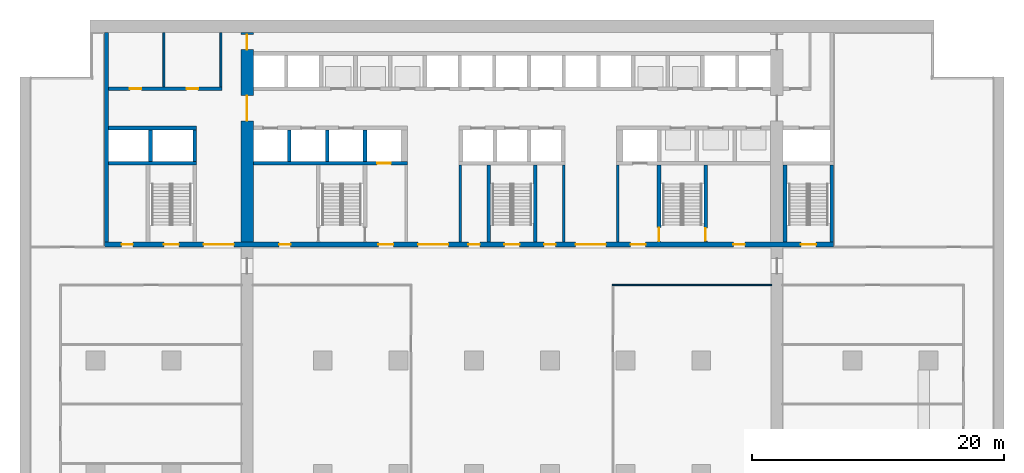
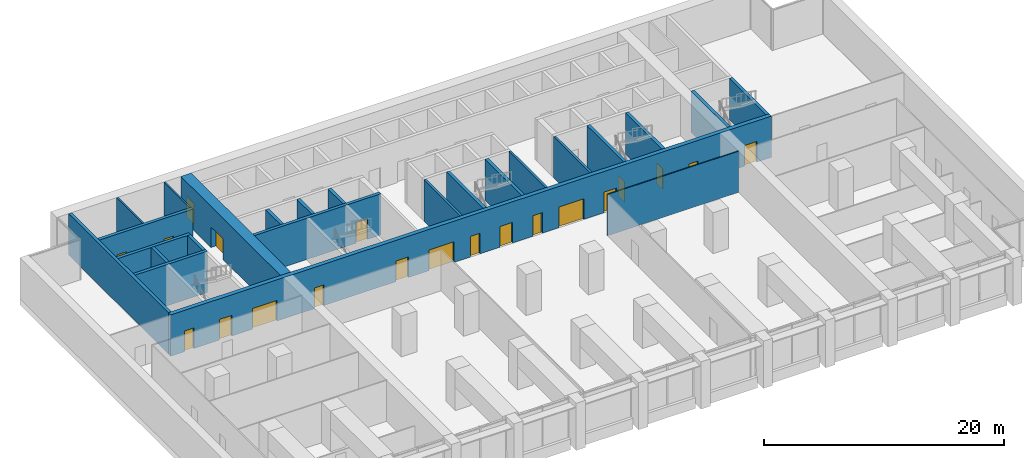
# One storey, part 10 of 18: 24 walls, 20 doors, 20 openings.
"""IFC4 building model written with IfcOpenShell, lengths in metres."""

from ifc_helpers import new_model, si_unit, direction, frame, frame_2d, origin, place, context, subcontext, project, spatial, rectangle, extrude, material, layer, layer_set, type_object, element, fill, save


model = new_model("IFC4")

# Units and contexts
model_context = context("Model", 3, precision=1e-05, world=origin(), true_north=direction((0.0, 1.0)))
body_context = subcontext(model_context, "Body", "Model", "MODEL_VIEW")
ifc_project = project(units=[si_unit("LENGTHUNIT", "METRE"), si_unit("AREAUNIT", "SQUARE_METRE"), si_unit("VOLUMEUNIT", "CUBIC_METRE"), si_unit("PLANEANGLEUNIT", "RADIAN"), si_unit("MASSUNIT", "GRAM", prefix="KILO")], contexts=[model_context])

# Site, building, storey
site_placement = place(None, origin())
site = spatial("IfcSite", under=ifc_project, at=site_placement, CompositionType="ELEMENT")
building_placement = place(site_placement, origin())
building = spatial("IfcBuilding", under=site, at=building_placement, Name="Calvaro Tower", CompositionType="ELEMENT")
storey_placement = place(building_placement, frame((0.0, 0.0, 90.0)))
storey = spatial("IfcBuildingStorey", under=building, at=storey_placement, Name="L22", CompositionType="ELEMENT", Elevation=90.0)

# Walls
ifc_material_1 = material(Name="Blockwork partition", Category="masonry")
ifc_layer_1 = layer(ifc_material_1, 0.14990234375)
ifc_layer_set_1 = layer_set([ifc_layer_1], Name="Blockwork partition")
wall_type_1 = type_object("IfcWallType", Name="Core partition 150 REI 120", PredefinedType="PARTITIONING", material=ifc_layer_set_1)
for number, where, z_axis, x_axis, name in (
    (1, (15.925048828125, 40.699951171875, 0.0), (0.0, 0.0, 1.0), (0.0, 1.0, 0.0), "Core partition"),
    (2, (11.39990234375, 40.699951171875, 0.0), (0.0, 0.0, 1.0), (0.0, 1.0, 0.0), "Core partition"),
):
    element("IfcWall", number, at=place(storey_placement, frame(where, z_axis=z_axis, x_axis=x_axis)), inside=storey, type_object=wall_type_1, Name=name, PredefinedType="PARTITIONING", context=body_context, shape_type="SweptSolid", body=[
        extrude(rectangle(XDim=4.300048828125, YDim=0.14990234375, at=frame_2d((2.14990234375, 0.0))), origin(), (0.0, 0.0, 1.0), 4.199951171875),
    ])
ifc_material_2 = material(Name="Blockwork partition", Category="masonry")
ifc_layer_2 = layer(ifc_material_2, 0.199951171875)
ifc_layer_set_2 = layer_set([ifc_layer_2], Name="Blockwork partition")
wall_type_2 = type_object("IfcWallType", Name="Core partition 200 REI 120", PredefinedType="PARTITIONING", material=ifc_layer_set_2)
for number, where, z_axis, x_axis, name in (
    (3, (34.89990234375, 28.39990234375, 0.0), (0.0, 0.0, 1.0), (0.0, 1.0, 0.0), "Core partition"),
    (4, (43.10009765625, 28.39990234375, 0.0), (0.0, 0.0, 1.0), (0.0, 1.0, 0.0), "Core partition"),
    (5, (47.39990234375, 28.39990234375, 0.0), (0.0, 0.0, 1.0), (0.0, 1.0, 0.0), "Core partition"),
):
    element("IfcWall", number, at=place(storey_placement, frame(where, z_axis=z_axis, x_axis=x_axis)), inside=storey, type_object=wall_type_2, Name=name, PredefinedType="PARTITIONING", context=body_context, shape_type="SweptSolid", body=[
        extrude(rectangle(XDim=6.10009765625, YDim=0.199951171875, at=frame_2d((3.050048828125, 0.0))), origin(), (0.0, 0.0, 1.0), 4.199951171875),
    ])

# Wall, openings, doors
ifc_material_3 = material(Name="Blockwork partition", Category="masonry")
ifc_layer_3 = layer(ifc_material_3, 0.300048828125)
ifc_layer_set_3 = layer_set([ifc_layer_3], Name="Blockwork partition")
wall_type_3 = type_object("IfcWallType", Name="Core partition 300 REI 120", PredefinedType="PARTITIONING", material=ifc_layer_set_3)
wall_1_placement = place(storey_placement, frame((7.0, 40.550048828125, 0.0), z_axis=(0.0, 0.0, 1.0), x_axis=(1.0, 0.0, 0.0)))
wall_1 = element("IfcWall", 6, at=wall_1_placement, inside=storey, type_object=wall_type_3, Name="Core partition", PredefinedType="PARTITIONING", context=body_context, shape_type="SweptSolid", body=[
    extrude(rectangle(XDim=9.0, YDim=0.300048828125, at=frame_2d((4.5, 0.0))), origin(), (0.0, 0.0, 1.0), 4.199951171875),
])
opening_1_placement = place(wall_1_placement, frame((1.71240234375, 0.0, 0.0)))
opening_1 = element("IfcOpeningElement", 7, at=opening_1_placement, cuts=wall_1, Name="Opening RD9E", PredefinedType="OPENING", context=body_context, shape_type="SweptSolid", body=[
    extrude(rectangle(XDim=0.89990234375, YDim=2.10009765625, at=frame_2d((0.449951171875, 1.050048828125))), frame((0.0, 0.159912109375, 0.0), z_axis=(0.0, -1.0, 0.0), x_axis=(1.0, 0.0, 0.0)), (0.0, 0.0, 1.0), 0.320068359375),
])
opening_2_placement = place(wall_1_placement, frame((6.21240234375, 0.0, 0.0)))
opening_2 = element("IfcOpeningElement", 8, at=opening_2_placement, cuts=wall_1, Name="Opening RD9E", PredefinedType="OPENING", context=body_context, shape_type="SweptSolid", body=[
    extrude(rectangle(XDim=0.89990234375, YDim=2.10009765625, at=frame_2d((0.449951171875, 1.050048828125))), frame((0.0, 0.159912109375, 0.0), z_axis=(0.0, -1.0, 0.0), x_axis=(1.0, 0.0, 0.0)), (0.0, 0.0, 1.0), 0.320068359375),
])
ifc_material_4 = material(Name="Steel door set", Category="steel")
door_type_1 = type_object("IfcDoorType", Name="Room door 900 FD60", OperationType="SINGLE_SWING_LEFT", PredefinedType="DOOR", material=ifc_material_4)
door_1_placement = place(opening_1_placement, origin())
door_1 = element("IfcDoor", 9, at=door_1_placement, inside=storey, type_object=door_type_1, Name="Room door", OperationType="SINGLE_SWING_LEFT", OverallHeight=2.10009765625, OverallWidth=0.89990234375, PredefinedType="DOOR", context=body_context, shape_type="SweptSolid", body=[
    extrude(rectangle(XDim=0.89990234375, YDim=2.10009765625, at=frame_2d((0.449951171875, 1.050048828125))), frame((0.0, 0.02490234375, 0.0), z_axis=(0.0, -1.0, 0.0), x_axis=(1.0, 0.0, 0.0)), (0.0, 0.0, 1.0), 0.050048828125),
])
fill(opening_1, door_1)
door_2_placement = place(opening_2_placement, origin())
door_2 = element("IfcDoor", 10, at=door_2_placement, inside=storey, type_object=door_type_1, Name="Room door", OperationType="SINGLE_SWING_LEFT", OverallHeight=2.10009765625, OverallWidth=0.89990234375, PredefinedType="DOOR", context=body_context, shape_type="SweptSolid", body=[
    extrude(rectangle(XDim=0.89990234375, YDim=2.10009765625, at=frame_2d((0.449951171875, 1.050048828125))), frame((0.0, 0.02490234375, 0.0), z_axis=(0.0, -1.0, 0.0), x_axis=(1.0, 0.0, 0.0)), (0.0, 0.0, 1.0), 0.050048828125),
])
fill(opening_2, door_2)

ifc_material_5 = material(Name="Concrete C80/95", Category="concrete")
ifc_layer_4 = layer(ifc_material_5, 1.0)
ifc_layer_set_4 = layer_set([ifc_layer_4], Name="Concrete C80/95")
wall_type_4 = type_object("IfcWallType", Name="Core wall C80/95 1000", PredefinedType="SHEAR", material=ifc_layer_set_4)
wall_2_placement = place(storey_placement, frame((18.0, 28.39990234375, 0.0), z_axis=(0.0, 0.0, 1.0), x_axis=(0.0, 1.0, 0.0)))
wall_2 = element("IfcWall", 11, at=wall_2_placement, inside=storey, type_object=wall_type_4, Name="Core wall, cross shear wall", PredefinedType="SHEAR", context=body_context, shape_type="SweptSolid", body=[
    extrude(rectangle(XDim=16.60009765625, YDim=1.0, at=frame_2d((8.300048828125, 0.0))), origin(), (0.0, 0.0, 1.0), 4.199951171875),
])
opening_3_placement = place(wall_2_placement, frame((9.60009765625, 0.0, 0.0)))
opening_3 = element("IfcOpeningElement", 12, at=opening_3_placement, cuts=wall_2, Name="Opening DD20D", PredefinedType="OPENING", context=body_context, shape_type="SweptSolid", body=[
    extrude(rectangle(XDim=2.0, YDim=2.10009765625, at=frame_2d((1.0, 1.050048828125))), frame((0.0, 0.510009765625, 0.0), z_axis=(0.0, -1.0, 0.0), x_axis=(1.0, 0.0, 0.0)), (0.0, 0.0, 1.0), 1.02001953125),
])
opening_4_placement = place(wall_2_placement, frame((15.25, 0.0, 0.0)))
opening_4 = element("IfcOpeningElement", 13, at=opening_4_placement, cuts=wall_2, Name="Opening FD12C", PredefinedType="OPENING", context=body_context, shape_type="SweptSolid", body=[
    extrude(rectangle(XDim=1.199951171875, YDim=2.10009765625, at=frame_2d((0.60009765625, 1.050048828125))), frame((0.0, 0.510009765625, 0.0), z_axis=(0.0, -1.0, 0.0), x_axis=(1.0, 0.0, 0.0)), (0.0, 0.0, 1.0), 1.02001953125),
])
ifc_material_6 = material(Name="Steel door set", Category="steel")
door_type_2 = type_object("IfcDoorType", Name="Fire door 1200 FD30", OperationType="SINGLE_SWING_LEFT", PredefinedType="DOOR", material=ifc_material_6)
door_3_placement = place(opening_4_placement, origin())
door_3 = element("IfcDoor", 14, at=door_3_placement, inside=storey, type_object=door_type_2, Name="Fire door", OperationType="SINGLE_SWING_LEFT", OverallHeight=2.10009765625, OverallWidth=1.199951171875, PredefinedType="DOOR", context=body_context, shape_type="SweptSolid", body=[
    extrude(rectangle(XDim=1.199951171875, YDim=2.10009765625, at=frame_2d((0.60009765625, 1.050048828125))), frame((0.0, 0.02490234375, 0.0), z_axis=(0.0, -1.0, 0.0), x_axis=(1.0, 0.0, 0.0)), (0.0, 0.0, 1.0), 0.050048828125),
])
fill(opening_4, door_3)
ifc_material_7 = material(Name="Steel door set", Category="steel")
door_type_3 = type_object("IfcDoorType", Name="Lobby double door 2000 FD30S", OperationType="DOUBLE_DOOR_SINGLE_SWING", PredefinedType="DOOR", material=ifc_material_7)
door_4_placement = place(opening_3_placement, origin())
door_4 = element("IfcDoor", 15, at=door_4_placement, inside=storey, type_object=door_type_3, Name="Lobby double door", OperationType="DOUBLE_DOOR_SINGLE_SWING", OverallHeight=2.10009765625, OverallWidth=2.0, PredefinedType="DOOR", context=body_context, shape_type="SweptSolid", body=[
    extrude(rectangle(XDim=2.0, YDim=2.10009765625, at=frame_2d((1.0, 1.050048828125))), frame((0.0, 0.02490234375, 0.0), z_axis=(0.0, -1.0, 0.0), x_axis=(1.0, 0.0, 0.0)), (0.0, 0.0, 1.0), 0.050048828125),
])
fill(opening_3, door_4)

# Walls
ifc_material_8 = material(Name="Concrete C80/95", Category="concrete")
ifc_layer_5 = layer(ifc_material_8, 0.300048828125)
ifc_layer_set_5 = layer_set([ifc_layer_5], Name="Concrete C80/95")
wall_type_5 = type_object("IfcWallType", Name="Core wall C80/95 300", PredefinedType="SHEAR", material=ifc_layer_set_5)
wall_3_placement = place(storey_placement, frame((6.85009765625, 28.39990234375, 0.0), z_axis=(0.0, 0.0, 1.0), x_axis=(0.0, 1.0, 0.0)))
element("IfcWall", 16, at=wall_3_placement, inside=storey, type_object=wall_type_5, Name="Core wall, boundary", PredefinedType="SHEAR", context=body_context, shape_type="SweptSolid", body=[
    extrude(rectangle(XDim=16.60009765625, YDim=0.300048828125, at=frame_2d((8.300048828125, 0.0))), origin(), (0.0, 0.0, 1.0), 4.199951171875),
])
for number, where, z_axis, x_axis, name in (
    (17, (37.14990234375, 28.39990234375, 0.0), (0.0, 0.0, 1.0), (0.0, 1.0, 0.0), "Core wall, stair enclosure"),
    (18, (40.85009765625, 28.39990234375, 0.0), (0.0, 0.0, 1.0), (0.0, 1.0, 0.0), "Core wall, stair enclosure"),
):
    element("IfcWall", number, at=place(storey_placement, frame(where, z_axis=z_axis, x_axis=x_axis)), inside=storey, type_object=wall_type_5, Name=name, PredefinedType="SHEAR", context=body_context, shape_type="SweptSolid", body=[
        extrude(rectangle(XDim=6.10009765625, YDim=0.300048828125, at=frame_2d((3.050048828125, 0.0))), origin(), (0.0, 0.0, 1.0), 4.199951171875),
    ])

# Wall, opening, door
wall_4_placement = place(storey_placement, frame((50.64990234375, 34.5, 0.0), z_axis=(0.0, 0.0, 1.0), x_axis=(0.0, -1.0, 0.0)))
wall_4 = element("IfcWall", 19, at=wall_4_placement, inside=storey, type_object=wall_type_5, Name="Core wall, stair enclosure", PredefinedType="SHEAR", context=body_context, shape_type="SweptSolid", body=[
    extrude(rectangle(XDim=6.10009765625, YDim=0.300048828125, at=frame_2d((3.050048828125, 0.0))), origin(), (0.0, 0.0, 1.0), 4.199951171875),
])
opening_5_placement = place(wall_4_placement, frame((4.949951171875, 0.0, 0.0)))
opening_5 = element("IfcOpeningElement", 20, at=opening_5_placement, cuts=wall_4, Name="Opening FD11D", PredefinedType="OPENING", context=body_context, shape_type="SweptSolid", body=[
    extrude(rectangle(XDim=1.10009765625, YDim=2.10009765625, at=frame_2d((0.550048828125, 1.050048828125))), frame((0.0, 0.159912109375, 0.0), z_axis=(0.0, -1.0, 0.0), x_axis=(1.0, 0.0, 0.0)), (0.0, 0.0, 1.0), 0.320068359375),
])
ifc_material_9 = material(Name="Steel door set", Category="steel")
door_type_4 = type_object("IfcDoorType", Name="Fire door 1100 FD30S", OperationType="SINGLE_SWING_LEFT", PredefinedType="DOOR", material=ifc_material_9)
door_5_placement = place(opening_5_placement, origin())
door_5 = element("IfcDoor", 21, at=door_5_placement, inside=storey, type_object=door_type_4, Name="Fire door", OperationType="SINGLE_SWING_RIGHT", OverallHeight=2.10009765625, OverallWidth=1.10009765625, PredefinedType="DOOR", context=body_context, shape_type="SweptSolid", body=[
    extrude(rectangle(XDim=1.10009765625, YDim=2.10009765625, at=frame_2d((0.550048828125, 1.050048828125))), frame((0.0, 0.02490234375, 0.0), z_axis=(0.0, -1.0, 0.0), x_axis=(1.0, 0.0, 0.0)), (0.0, 0.0, 1.0), 0.050048828125),
])
fill(opening_5, door_5)

wall_5_placement = place(storey_placement, frame((54.35009765625, 28.39990234375, 0.0), z_axis=(0.0, 0.0, 1.0), x_axis=(0.0, 1.0, 0.0)))
wall_5 = element("IfcWall", 22, at=wall_5_placement, inside=storey, type_object=wall_type_5, Name="Core wall, stair enclosure", PredefinedType="SHEAR", context=body_context, shape_type="SweptSolid", body=[
    extrude(rectangle(XDim=6.10009765625, YDim=0.300048828125, at=frame_2d((3.050048828125, 0.0))), origin(), (0.0, 0.0, 1.0), 4.199951171875),
])
opening_6_placement = place(wall_5_placement, frame((0.10009765625, 0.0, 0.0)))
opening_6 = element("IfcOpeningElement", 23, at=opening_6_placement, cuts=wall_5, Name="Opening FD10D", PredefinedType="OPENING", context=body_context, shape_type="SweptSolid", body=[
    extrude(rectangle(XDim=1.0, YDim=2.10009765625, at=frame_2d((0.5, 1.050048828125))), frame((0.0, 0.159912109375, 0.0), z_axis=(0.0, -1.0, 0.0), x_axis=(1.0, 0.0, 0.0)), (0.0, 0.0, 1.0), 0.320068359375),
])
ifc_material_10 = material(Name="Steel door set", Category="steel")
door_type_5 = type_object("IfcDoorType", Name="Fire door 1000 FD30S", OperationType="SINGLE_SWING_LEFT", PredefinedType="DOOR", material=ifc_material_10)
door_6_placement = place(opening_6_placement, origin())
door_6 = element("IfcDoor", 24, at=door_6_placement, inside=storey, type_object=door_type_5, Name="Fire door", OperationType="SINGLE_SWING_LEFT", OverallHeight=2.10009765625, OverallWidth=1.0, PredefinedType="DOOR", context=body_context, shape_type="SweptSolid", body=[
    extrude(rectangle(XDim=1.0, YDim=2.10009765625, at=frame_2d((0.5, 1.050048828125))), frame((0.0, 0.02490234375, 0.0), z_axis=(0.0, -1.0, 0.0), x_axis=(1.0, 0.0, 0.0)), (0.0, 0.0, 1.0), 0.050048828125),
])
fill(opening_6, door_6)

# Walls
for number, where, z_axis, x_axis, name in (
    (25, (60.64990234375, 28.39990234375, 0.0), (0.0, 0.0, 1.0), (0.0, 1.0, 0.0), "Core wall, stair enclosure"),
    (26, (64.35009765625, 28.39990234375, 0.0), (0.0, 0.0, 1.0), (0.0, 1.0, 0.0), "Core wall, stair enclosure"),
):
    element("IfcWall", number, at=place(storey_placement, frame(where, z_axis=z_axis, x_axis=x_axis)), inside=storey, type_object=wall_type_5, Name=name, PredefinedType="SHEAR", context=body_context, shape_type="SweptSolid", body=[
        extrude(rectangle(XDim=6.10009765625, YDim=0.300048828125, at=frame_2d((3.050048828125, 0.0))), origin(), (0.0, 0.0, 1.0), 4.199951171875),
    ])
wall_6_placement = place(storey_placement, frame((7.0, 34.64990234375, 0.0), z_axis=(0.0, 0.0, 1.0), x_axis=(1.0, 0.0, 0.0)))
element("IfcWall", 27, at=wall_6_placement, inside=storey, type_object=wall_type_5, Name="Core wall, lift shaft", PredefinedType="SHEAR", context=body_context, shape_type="SweptSolid", body=[
    extrude(rectangle(XDim=7.0, YDim=0.300048828125, at=frame_2d((3.5, 0.0))), origin(), (0.0, 0.0, 1.0), 4.199951171875),
])

# Wall, opening, door
wall_7_placement = place(storey_placement, frame((18.5, 34.64990234375, 0.0), z_axis=(0.0, 0.0, 1.0), x_axis=(1.0, 0.0, 0.0)))
wall_7 = element("IfcWall", 28, at=wall_7_placement, inside=storey, type_object=wall_type_5, Name="Core wall, lift shaft", PredefinedType="SHEAR", context=body_context, shape_type="SweptSolid", body=[
    extrude(rectangle(XDim=12.199951171875, YDim=0.300048828125, at=frame_2d((6.10009765625, 0.0))), origin(), (0.0, 0.0, 1.0), 4.199951171875),
])
opening_7_placement = place(wall_7_placement, frame((9.800048828125, 0.0, 0.0)))
opening_7 = element("IfcOpeningElement", 29, at=opening_7_placement, cuts=wall_7, Name="Opening FF1", PredefinedType="OPENING", context=body_context, shape_type="SweptSolid", body=[
    extrude(rectangle(XDim=1.10009765625, YDim=2.10009765625, at=frame_2d((0.550048828125, 1.050048828125))), frame((0.0, 0.159912109375, 0.0), z_axis=(0.0, -1.0, 0.0), x_axis=(1.0, 0.0, 0.0)), (0.0, 0.0, 1.0), 0.320068359375),
])
ifc_material_11 = material(Name="Stainless steel", Category="steel")
door_type_6 = type_object("IfcDoorType", Name="Landing door 1100 E 60", OperationType="SLIDING_TO_LEFT", PredefinedType="DOOR", material=ifc_material_11)
door_7_placement = place(opening_7_placement, origin())
door_7 = element("IfcDoor", 30, at=door_7_placement, inside=storey, type_object=door_type_6, Name="Landing door FF1", OperationType="SLIDING_TO_LEFT", OverallHeight=2.10009765625, OverallWidth=1.10009765625, PredefinedType="DOOR", context=body_context, shape_type="SweptSolid", body=[
    extrude(rectangle(XDim=1.10009765625, YDim=2.10009765625, at=frame_2d((0.550048828125, 1.050048828125))), frame((0.0, 0.02490234375, 0.0), z_axis=(0.0, -1.0, 0.0), x_axis=(1.0, 0.0, 0.0)), (0.0, 0.0, 1.0), 0.050048828125),
])
fill(opening_7, door_7)

# Walls
wall_8_placement = place(storey_placement, frame((7.0, 37.449951171875, 0.0), z_axis=(0.0, 0.0, 1.0), x_axis=(1.0, 0.0, 0.0)))
element("IfcWall", 31, at=wall_8_placement, inside=storey, type_object=wall_type_5, Name="Core wall, lift shaft", PredefinedType="SHEAR", context=body_context, shape_type="SweptSolid", body=[
    extrude(rectangle(XDim=7.0, YDim=0.300048828125, at=frame_2d((3.5, 0.0))), origin(), (0.0, 0.0, 1.0), 4.199951171875),
])
for number, where, z_axis, x_axis, name in (
    (32, (27.35009765625, 34.800048828125, 0.0), (0.0, 0.0, 1.0), (0.0, 1.0, 0.0), "Core wall, lift shaft"),
    (33, (13.85009765625, 34.800048828125, 0.0), (0.0, 0.0, 1.0), (0.0, 1.0, 0.0), "Core wall, lift shaft"),
    (34, (21.35009765625, 34.800048828125, 0.0), (0.0, 0.0, 1.0), (0.0, 1.0, 0.0), "Core wall, lift shaft"),
    (35, (24.35009765625, 34.800048828125, 0.0), (0.0, 0.0, 1.0), (0.0, 1.0, 0.0), "Core wall, lift shaft"),
    (36, (10.35009765625, 34.800048828125, 0.0), (0.0, 0.0, 1.0), (0.0, 1.0, 0.0), "Core wall, lift shaft"),
):
    element("IfcWall", number, at=place(storey_placement, frame(where, z_axis=z_axis, x_axis=x_axis)), inside=storey, type_object=wall_type_5, Name=name, PredefinedType="SHEAR", context=body_context, shape_type="SweptSolid", body=[
        extrude(rectangle(XDim=2.5, YDim=0.300048828125, at=frame_2d((1.25, 0.0))), origin(), (0.0, 0.0, 1.0), 4.199951171875),
    ])

# Wall, openings, doors
ifc_material_12 = material(Name="Concrete C80/95", Category="concrete")
ifc_layer_6 = layer(ifc_material_12, 0.39990234375)
ifc_layer_set_6 = layer_set([ifc_layer_6], Name="Concrete C80/95")
wall_type_6 = type_object("IfcWallType", Name="Core wall C80/95 400", PredefinedType="SHEAR", material=ifc_layer_set_6)
wall_9_placement = place(storey_placement, frame((6.699951171875, 28.199951171875, 0.0), z_axis=(0.0, 0.0, 1.0), x_axis=(1.0, 0.0, 0.0)))
wall_9 = element("IfcWall", 37, at=wall_9_placement, inside=storey, type_object=wall_type_6, Name="Core wall, front", PredefinedType="SHEAR", context=body_context, shape_type="SweptSolid", body=[
    extrude(rectangle(XDim=57.800048828125, YDim=0.39990234375, at=frame_2d((28.89990234375, 0.0))), origin(), (0.0, 0.0, 1.0), 4.199951171875),
])
opening_8_placement = place(wall_9_placement, frame((13.85009765625, 0.0, 0.0)))
opening_8 = element("IfcOpeningElement", 38, at=opening_8_placement, cuts=wall_9, Name="Opening RD9D", PredefinedType="OPENING", context=body_context, shape_type="SweptSolid", body=[
    extrude(rectangle(XDim=0.89990234375, YDim=2.10009765625, at=frame_2d((0.449951171875, 1.050048828125))), frame((0.0, 0.2099609375, 0.0), z_axis=(0.0, -1.0, 0.0), x_axis=(1.0, 0.0, 0.0)), (0.0, 0.0, 1.0), 0.419921875),
])
opening_9_placement = place(wall_9_placement, frame((49.85009765625, 0.0, 0.0)))
opening_9 = element("IfcOpeningElement", 39, at=opening_9_placement, cuts=wall_9, Name="Opening RD9D", PredefinedType="OPENING", context=body_context, shape_type="SweptSolid", body=[
    extrude(rectangle(XDim=0.89990234375, YDim=2.10009765625, at=frame_2d((0.449951171875, 1.050048828125))), frame((0.0, 0.2099609375, 0.0), z_axis=(0.0, -1.0, 0.0), x_axis=(1.0, 0.0, 0.0)), (0.0, 0.0, 1.0), 0.419921875),
])
opening_10_placement = place(wall_9_placement, frame((1.35009765625, 0.0, 0.0)))
opening_10 = element("IfcOpeningElement", 40, at=opening_10_placement, cuts=wall_9, Name="Opening RD9E", PredefinedType="OPENING", context=body_context, shape_type="SweptSolid", body=[
    extrude(rectangle(XDim=0.89990234375, YDim=2.10009765625, at=frame_2d((0.449951171875, 1.050048828125))), frame((0.0, 0.2099609375, 0.0), z_axis=(0.0, -1.0, 0.0), x_axis=(1.0, 0.0, 0.0)), (0.0, 0.0, 1.0), 0.419921875),
])
opening_11_placement = place(wall_9_placement, frame((4.699951171875, 0.0, 0.0)))
opening_11 = element("IfcOpeningElement", 41, at=opening_11_placement, cuts=wall_9, Name="Opening SD12D", PredefinedType="OPENING", context=body_context, shape_type="SweptSolid", body=[
    extrude(rectangle(XDim=1.199951171875, YDim=2.10009765625, at=frame_2d((0.60009765625, 1.050048828125))), frame((0.0, 0.2099609375, 0.0), z_axis=(0.0, -1.0, 0.0), x_axis=(1.0, 0.0, 0.0)), (0.0, 0.0, 1.0), 0.419921875),
])
opening_12_placement = place(wall_9_placement, frame((31.699951171875, 0.0, 0.0)))
opening_12 = element("IfcOpeningElement", 42, at=opening_12_placement, cuts=wall_9, Name="Opening SD12D", PredefinedType="OPENING", context=body_context, shape_type="SweptSolid", body=[
    extrude(rectangle(XDim=1.199951171875, YDim=2.10009765625, at=frame_2d((0.60009765625, 1.050048828125))), frame((0.0, 0.2099609375, 0.0), z_axis=(0.0, -1.0, 0.0), x_axis=(1.0, 0.0, 0.0)), (0.0, 0.0, 1.0), 0.419921875),
])
opening_13_placement = place(wall_9_placement, frame((55.199951171875, 0.0, 0.0)))
opening_13 = element("IfcOpeningElement", 43, at=opening_13_placement, cuts=wall_9, Name="Opening SD12D", PredefinedType="OPENING", context=body_context, shape_type="SweptSolid", body=[
    extrude(rectangle(XDim=1.199951171875, YDim=2.10009765625, at=frame_2d((0.60009765625, 1.050048828125))), frame((0.0, 0.2099609375, 0.0), z_axis=(0.0, -1.0, 0.0), x_axis=(1.0, 0.0, 0.0)), (0.0, 0.0, 1.0), 0.419921875),
])
opening_14_placement = place(wall_9_placement, frame((21.699951171875, 0.0, 0.0)))
opening_14 = element("IfcOpeningElement", 44, at=opening_14_placement, cuts=wall_9, Name="Opening FD12F", PredefinedType="OPENING", context=body_context, shape_type="SweptSolid", body=[
    extrude(rectangle(XDim=1.199951171875, YDim=2.10009765625, at=frame_2d((0.60009765625, 1.050048828125))), frame((0.0, 0.2099609375, 0.0), z_axis=(0.0, -1.0, 0.0), x_axis=(1.0, 0.0, 0.0)), (0.0, 0.0, 1.0), 0.419921875),
])
opening_15_placement = place(wall_9_placement, frame((41.699951171875, 0.0, 0.0)))
opening_15 = element("IfcOpeningElement", 45, at=opening_15_placement, cuts=wall_9, Name="Opening FD12F", PredefinedType="OPENING", context=body_context, shape_type="SweptSolid", body=[
    extrude(rectangle(XDim=1.199951171875, YDim=2.10009765625, at=frame_2d((0.60009765625, 1.050048828125))), frame((0.0, 0.2099609375, 0.0), z_axis=(0.0, -1.0, 0.0), x_axis=(1.0, 0.0, 0.0)), (0.0, 0.0, 1.0), 0.419921875),
])
opening_16_placement = place(wall_9_placement, frame((24.85009765625, 0.0, 0.0)))
opening_16 = element("IfcOpeningElement", 46, at=opening_16_placement, cuts=wall_9, Name="Opening DD24D", PredefinedType="OPENING", context=body_context, shape_type="SweptSolid", body=[
    extrude(rectangle(XDim=2.39990234375, YDim=2.10009765625, at=frame_2d((1.199951171875, 1.050048828125))), frame((0.0, 0.2099609375, 0.0), z_axis=(0.0, -1.0, 0.0), x_axis=(1.0, 0.0, 0.0)), (0.0, 0.0, 1.0), 0.419921875),
])
opening_17_placement = place(wall_9_placement, frame((37.35009765625, 0.0, 0.0)))
opening_17 = element("IfcOpeningElement", 47, at=opening_17_placement, cuts=wall_9, Name="Opening DD24D", PredefinedType="OPENING", context=body_context, shape_type="SweptSolid", body=[
    extrude(rectangle(XDim=2.39990234375, YDim=2.10009765625, at=frame_2d((1.199951171875, 1.050048828125))), frame((0.0, 0.2099609375, 0.0), z_axis=(0.0, -1.0, 0.0), x_axis=(1.0, 0.0, 0.0)), (0.0, 0.0, 1.0), 0.419921875),
])
opening_18_placement = place(wall_9_placement, frame((7.85009765625, 0.0, 0.0)))
opening_18 = element("IfcOpeningElement", 48, at=opening_18_placement, cuts=wall_9, Name="Opening DD24D", PredefinedType="OPENING", context=body_context, shape_type="SweptSolid", body=[
    extrude(rectangle(XDim=2.39990234375, YDim=2.10009765625, at=frame_2d((1.199951171875, 1.050048828125))), frame((0.0, 0.2099609375, 0.0), z_axis=(0.0, -1.0, 0.0), x_axis=(1.0, 0.0, 0.0)), (0.0, 0.0, 1.0), 0.419921875),
])
opening_19_placement = place(wall_9_placement, frame((28.85009765625, 0.0, 0.0)))
opening_19 = element("IfcOpeningElement", 49, at=opening_19_placement, cuts=wall_9, Name="Opening RD9E", PredefinedType="OPENING", context=body_context, shape_type="SweptSolid", body=[
    extrude(rectangle(XDim=0.89990234375, YDim=2.10009765625, at=frame_2d((0.449951171875, 1.050048828125))), frame((0.0, 0.2099609375, 0.0), z_axis=(0.0, -1.0, 0.0), x_axis=(1.0, 0.0, 0.0)), (0.0, 0.0, 1.0), 0.419921875),
])
opening_20_placement = place(wall_9_placement, frame((34.85009765625, 0.0, 0.0)))
opening_20 = element("IfcOpeningElement", 50, at=opening_20_placement, cuts=wall_9, Name="Opening RD9E", PredefinedType="OPENING", context=body_context, shape_type="SweptSolid", body=[
    extrude(rectangle(XDim=0.89990234375, YDim=2.10009765625, at=frame_2d((0.449951171875, 1.050048828125))), frame((0.0, 0.2099609375, 0.0), z_axis=(0.0, -1.0, 0.0), x_axis=(1.0, 0.0, 0.0)), (0.0, 0.0, 1.0), 0.419921875),
])
ifc_material_13 = material(Name="Steel door set", Category="steel")
door_type_7 = type_object("IfcDoorType", Name="Fire door 1200 FD60S", OperationType="SINGLE_SWING_LEFT", PredefinedType="DOOR", material=ifc_material_13)
door_8_placement = place(opening_14_placement, origin())
door_8 = element("IfcDoor", 51, at=door_8_placement, inside=storey, type_object=door_type_7, Name="Fire door", OperationType="SINGLE_SWING_LEFT", OverallHeight=2.10009765625, OverallWidth=1.199951171875, PredefinedType="DOOR", context=body_context, shape_type="SweptSolid", body=[
    extrude(rectangle(XDim=1.199951171875, YDim=2.10009765625, at=frame_2d((0.60009765625, 1.050048828125))), frame((0.0, 0.02490234375, 0.0), z_axis=(0.0, -1.0, 0.0), x_axis=(1.0, 0.0, 0.0)), (0.0, 0.0, 1.0), 0.050048828125),
])
fill(opening_14, door_8)
door_9_placement = place(opening_15_placement, origin())
door_9 = element("IfcDoor", 52, at=door_9_placement, inside=storey, type_object=door_type_7, Name="Fire door", OperationType="SINGLE_SWING_LEFT", OverallHeight=2.10009765625, OverallWidth=1.199951171875, PredefinedType="DOOR", context=body_context, shape_type="SweptSolid", body=[
    extrude(rectangle(XDim=1.199951171875, YDim=2.10009765625, at=frame_2d((0.60009765625, 1.050048828125))), frame((0.0, 0.02490234375, 0.0), z_axis=(0.0, -1.0, 0.0), x_axis=(1.0, 0.0, 0.0)), (0.0, 0.0, 1.0), 0.050048828125),
])
fill(opening_15, door_9)
ifc_material_14 = material(Name="Steel door set", Category="steel")
door_type_8 = type_object("IfcDoorType", Name="Lobby double door 2400 FD30S", OperationType="DOUBLE_DOOR_SINGLE_SWING", PredefinedType="DOOR", material=ifc_material_14)
door_10_placement = place(opening_16_placement, origin())
door_10 = element("IfcDoor", 53, at=door_10_placement, inside=storey, type_object=door_type_8, Name="Lobby double door", OperationType="DOUBLE_DOOR_SINGLE_SWING", OverallHeight=2.10009765625, OverallWidth=2.39990234375, PredefinedType="DOOR", context=body_context, shape_type="SweptSolid", body=[
    extrude(rectangle(XDim=2.39990234375, YDim=2.10009765625, at=frame_2d((1.199951171875, 1.050048828125))), frame((0.0, 0.02490234375, 0.0), z_axis=(0.0, -1.0, 0.0), x_axis=(1.0, 0.0, 0.0)), (0.0, 0.0, 1.0), 0.050048828125),
])
fill(opening_16, door_10)
door_11_placement = place(opening_17_placement, origin())
door_11 = element("IfcDoor", 54, at=door_11_placement, inside=storey, type_object=door_type_8, Name="Lobby double door", OperationType="DOUBLE_DOOR_SINGLE_SWING", OverallHeight=2.10009765625, OverallWidth=2.39990234375, PredefinedType="DOOR", context=body_context, shape_type="SweptSolid", body=[
    extrude(rectangle(XDim=2.39990234375, YDim=2.10009765625, at=frame_2d((1.199951171875, 1.050048828125))), frame((0.0, 0.02490234375, 0.0), z_axis=(0.0, -1.0, 0.0), x_axis=(1.0, 0.0, 0.0)), (0.0, 0.0, 1.0), 0.050048828125),
])
fill(opening_17, door_11)
door_12_placement = place(opening_18_placement, origin())
door_12 = element("IfcDoor", 55, at=door_12_placement, inside=storey, type_object=door_type_8, Name="Lobby double door", OperationType="DOUBLE_DOOR_SINGLE_SWING", OverallHeight=2.10009765625, OverallWidth=2.39990234375, PredefinedType="DOOR", context=body_context, shape_type="SweptSolid", body=[
    extrude(rectangle(XDim=2.39990234375, YDim=2.10009765625, at=frame_2d((1.199951171875, 1.050048828125))), frame((0.0, 0.02490234375, 0.0), z_axis=(0.0, -1.0, 0.0), x_axis=(1.0, 0.0, 0.0)), (0.0, 0.0, 1.0), 0.050048828125),
])
fill(opening_18, door_12)
ifc_material_15 = material(Name="Steel door set", Category="steel")
door_type_9 = type_object("IfcDoorType", Name="Room door 900 FD30S", OperationType="SINGLE_SWING_LEFT", PredefinedType="DOOR", material=ifc_material_15)
door_13_placement = place(opening_8_placement, origin())
door_13 = element("IfcDoor", 56, at=door_13_placement, inside=storey, type_object=door_type_9, Name="Room door", OperationType="SINGLE_SWING_LEFT", OverallHeight=2.10009765625, OverallWidth=0.89990234375, PredefinedType="DOOR", context=body_context, shape_type="SweptSolid", body=[
    extrude(rectangle(XDim=0.89990234375, YDim=2.10009765625, at=frame_2d((0.449951171875, 1.050048828125))), frame((0.0, 0.02490234375, 0.0), z_axis=(0.0, -1.0, 0.0), x_axis=(1.0, 0.0, 0.0)), (0.0, 0.0, 1.0), 0.050048828125),
])
fill(opening_8, door_13)
door_14_placement = place(opening_9_placement, origin())
door_14 = element("IfcDoor", 57, at=door_14_placement, inside=storey, type_object=door_type_9, Name="Room door", OperationType="SINGLE_SWING_LEFT", OverallHeight=2.10009765625, OverallWidth=0.89990234375, PredefinedType="DOOR", context=body_context, shape_type="SweptSolid", body=[
    extrude(rectangle(XDim=0.89990234375, YDim=2.10009765625, at=frame_2d((0.449951171875, 1.050048828125))), frame((0.0, 0.02490234375, 0.0), z_axis=(0.0, -1.0, 0.0), x_axis=(1.0, 0.0, 0.0)), (0.0, 0.0, 1.0), 0.050048828125),
])
fill(opening_9, door_14)
door_15_placement = place(opening_10_placement, origin())
door_15 = element("IfcDoor", 58, at=door_15_placement, inside=storey, type_object=door_type_1, Name="Room door", OperationType="SINGLE_SWING_LEFT", OverallHeight=2.10009765625, OverallWidth=0.89990234375, PredefinedType="DOOR", context=body_context, shape_type="SweptSolid", body=[
    extrude(rectangle(XDim=0.89990234375, YDim=2.10009765625, at=frame_2d((0.449951171875, 1.050048828125))), frame((0.0, 0.02490234375, 0.0), z_axis=(0.0, -1.0, 0.0), x_axis=(1.0, 0.0, 0.0)), (0.0, 0.0, 1.0), 0.050048828125),
])
fill(opening_10, door_15)
door_16_placement = place(opening_19_placement, origin())
door_16 = element("IfcDoor", 59, at=door_16_placement, inside=storey, type_object=door_type_1, Name="Room door", OperationType="SINGLE_SWING_LEFT", OverallHeight=2.10009765625, OverallWidth=0.89990234375, PredefinedType="DOOR", context=body_context, shape_type="SweptSolid", body=[
    extrude(rectangle(XDim=0.89990234375, YDim=2.10009765625, at=frame_2d((0.449951171875, 1.050048828125))), frame((0.0, 0.02490234375, 0.0), z_axis=(0.0, -1.0, 0.0), x_axis=(1.0, 0.0, 0.0)), (0.0, 0.0, 1.0), 0.050048828125),
])
fill(opening_19, door_16)
door_17_placement = place(opening_20_placement, origin())
door_17 = element("IfcDoor", 60, at=door_17_placement, inside=storey, type_object=door_type_1, Name="Room door", OperationType="SINGLE_SWING_LEFT", OverallHeight=2.10009765625, OverallWidth=0.89990234375, PredefinedType="DOOR", context=body_context, shape_type="SweptSolid", body=[
    extrude(rectangle(XDim=0.89990234375, YDim=2.10009765625, at=frame_2d((0.449951171875, 1.050048828125))), frame((0.0, 0.02490234375, 0.0), z_axis=(0.0, -1.0, 0.0), x_axis=(1.0, 0.0, 0.0)), (0.0, 0.0, 1.0), 0.050048828125),
])
fill(opening_20, door_17)
ifc_material_16 = material(Name="Steel door set", Category="steel")
door_type_10 = type_object("IfcDoorType", Name="Stair door 1200 FD30S", OperationType="SINGLE_SWING_LEFT", PredefinedType="DOOR", material=ifc_material_16)
door_18_placement = place(opening_11_placement, origin())
door_18 = element("IfcDoor", 61, at=door_18_placement, inside=storey, type_object=door_type_10, Name="Stair door", OperationType="SINGLE_SWING_LEFT", OverallHeight=2.10009765625, OverallWidth=1.199951171875, PredefinedType="DOOR", context=body_context, shape_type="SweptSolid", body=[
    extrude(rectangle(XDim=1.199951171875, YDim=2.10009765625, at=frame_2d((0.60009765625, 1.050048828125))), frame((0.0, 0.02490234375, 0.0), z_axis=(0.0, -1.0, 0.0), x_axis=(1.0, 0.0, 0.0)), (0.0, 0.0, 1.0), 0.050048828125),
])
fill(opening_11, door_18)
door_19_placement = place(opening_12_placement, origin())
door_19 = element("IfcDoor", 62, at=door_19_placement, inside=storey, type_object=door_type_10, Name="Stair door", OperationType="SINGLE_SWING_LEFT", OverallHeight=2.10009765625, OverallWidth=1.199951171875, PredefinedType="DOOR", context=body_context, shape_type="SweptSolid", body=[
    extrude(rectangle(XDim=1.199951171875, YDim=2.10009765625, at=frame_2d((0.60009765625, 1.050048828125))), frame((0.0, 0.02490234375, 0.0), z_axis=(0.0, -1.0, 0.0), x_axis=(1.0, 0.0, 0.0)), (0.0, 0.0, 1.0), 0.050048828125),
])
fill(opening_12, door_19)
door_20_placement = place(opening_13_placement, origin())
door_20 = element("IfcDoor", 63, at=door_20_placement, inside=storey, type_object=door_type_10, Name="Stair door", OperationType="SINGLE_SWING_LEFT", OverallHeight=2.10009765625, OverallWidth=1.199951171875, PredefinedType="DOOR", context=body_context, shape_type="SweptSolid", body=[
    extrude(rectangle(XDim=1.199951171875, YDim=2.10009765625, at=frame_2d((0.60009765625, 1.050048828125))), frame((0.0, 0.02490234375, 0.0), z_axis=(0.0, -1.0, 0.0), x_axis=(1.0, 0.0, 0.0)), (0.0, 0.0, 1.0), 0.050048828125),
])
fill(opening_13, door_20)

# Wall
ifc_material_17 = material(Name="Plasterboard on steel studs", Category="steel")
ifc_layer_7 = layer(ifc_material_17, 0.10009765625)
ifc_layer_set_7 = layer_set([ifc_layer_7], Name="Plasterboard on steel studs")
wall_type_7 = type_object("IfcWallType", Name="Partition 100 REI 120", PredefinedType="PARTITIONING", material=ifc_layer_set_7)
wall_10_placement = place(storey_placement, frame((46.949951171875, 25.0, 0.0), z_axis=(0.0, 0.0, 1.0), x_axis=(1.0, 0.0, 0.0)))
element("IfcWall", 64, at=wall_10_placement, inside=storey, type_object=wall_type_7, Name="Partition T15.W011", PredefinedType="PARTITIONING", context=body_context, shape_type="SweptSolid", body=[
    extrude(rectangle(XDim=12.650146484375, YDim=0.10009765625, at=frame_2d((6.3251953125, 0.0))), origin(), (0.0, 0.0, 1.0), 4.199951171875),
])

save(model, "model.ifc")
